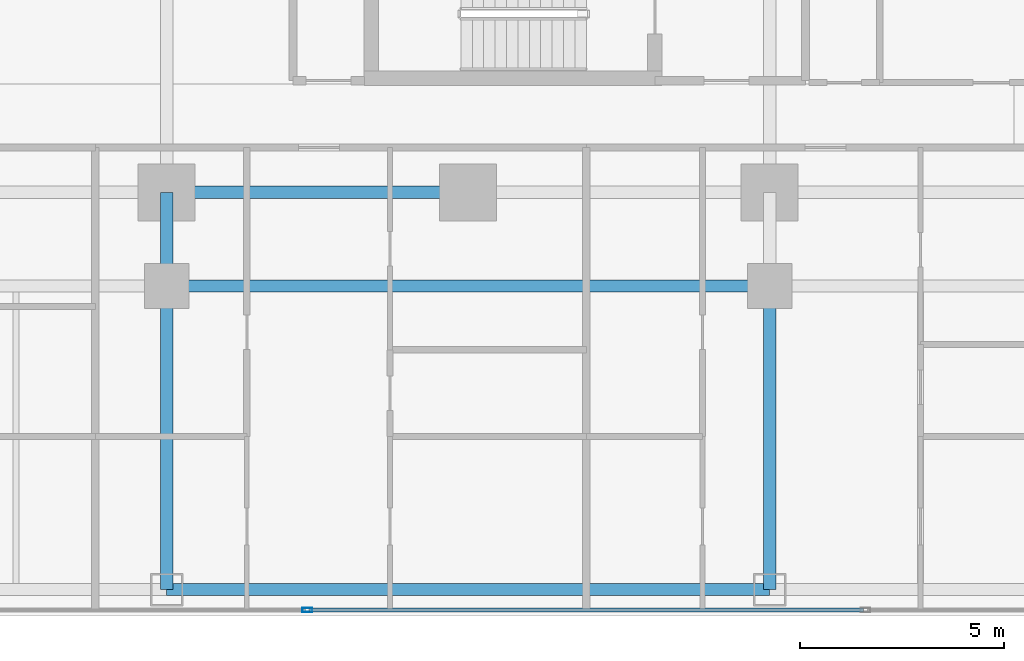
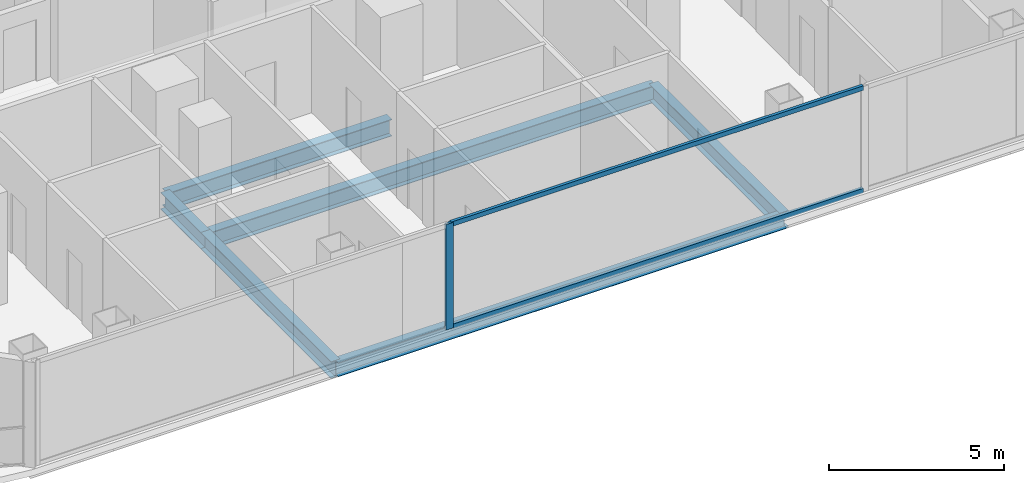
# One storey, part 4 of 28: 6 beams, 3 members, 1 element without a shape of its own.
"""IFC4 building model written with IfcOpenShell, lengths in metres."""

import ifcopenshell
import ifcopenshell.guid

model = None  # the IFC model being written
_history = None  # IfcOwnerHistory: only IFC2X3 demands one
_inside = {}  # id of a spatial element -> (the spatial element, [elements in it])
_under = {}  # id of a project, library or spatial element -> (it, [spatial elements below it])
_declared = {}  # id of a project -> (the project, [libraries it declares])
_typed = {}  # id of a type object -> (the type object, [elements of that type])
_made_of = {}  # id of a material, layer set ... -> (it, [elements and type objects made of it])


def new_model(schema):
    """Start an empty IFC model of exactly this schema.

    Asked for "IFC4X3", IfcOpenShell would pick the latest addendum, in which some entities
    have other attributes; the version numbers below select the first issue.
    IFC2X3 requires an IfcOwnerHistory on every rooted entity: one is made here for all.
    """
    global model, _history
    if schema == "IFC4X3":
        model = ifcopenshell.file(schema_version=(4, 3, 0, 0))
    else:
        model = ifcopenshell.file(schema=schema)
    _inside.clear()
    _under.clear()
    _declared.clear()
    _typed.clear()
    _made_of.clear()
    _history = None
    if model.schema == "IFC2X3":
        org = make("IfcOrganization", Name="unknown")
        user = make(
            "IfcPersonAndOrganization",
            ThePerson=make("IfcPerson", FamilyName="unknown"),
            TheOrganization=org,
        )
        app = make(
            "IfcApplication",
            ApplicationDeveloper=org,
            Version="unknown",
            ApplicationFullName="unknown",
            ApplicationIdentifier="unknown",
        )
        _history = make(
            "IfcOwnerHistory",
            OwningUser=user,
            OwningApplication=app,
            ChangeAction="ADDED",
            CreationDate=0,
        )
    return model


def make(cls, **values):
    """One entity of the class cls with the attributes given. An attribute that is None is left unset."""
    return model.create_entity(
        cls, **{name: value for name, value in values.items() if value is not None}
    )


def rooted(cls, **values):
    """An entity with a GlobalId (a new one), such as an element, a storey or a relation."""
    return make(cls, GlobalId=ifcopenshell.guid.new(), OwnerHistory=_history, **values)


def si_unit(unit_type, name, prefix=None):
    """IfcSIUnit, for example si_unit("LENGTHUNIT", "METRE", prefix="MILLI")."""
    return make("IfcSIUnit", UnitType=unit_type, Prefix=prefix, Name=name)


def assignment(units):
    """IfcUnitAssignment: the units of a project."""
    return None if units is None else make("IfcUnitAssignment", Units=units)


def point(xyz):
    """IfcCartesianPoint."""
    return None if xyz is None else make("IfcCartesianPoint", Coordinates=xyz)


def direction(xyz):
    """IfcDirection."""
    return None if xyz is None else make("IfcDirection", DirectionRatios=xyz)


def frame(location, z_axis=None, x_axis=None):
    """IfcAxis2Placement3D, a coordinate frame: its origin and axes. An axis left out is left unset."""
    return make(
        "IfcAxis2Placement3D",
        Location=point(location),
        Axis=direction(z_axis),
        RefDirection=direction(x_axis),
    )


def frame_2d(location, x_axis=None):
    """IfcAxis2Placement2D, a coordinate frame in the plane: its origin and x axis."""
    return make(
        "IfcAxis2Placement2D", Location=point(location), RefDirection=direction(x_axis)
    )


def origin():
    """The frame at (0, 0, 0) with its axes left unset."""
    return frame((0.0, 0.0, 0.0))


def origin_2d():
    """The frame at (0, 0) in the plane with its x axis left unset."""
    return frame_2d((0.0, 0.0))


def place(relative_to, where):
    """IfcLocalPlacement: puts the frame where relative to a parent placement (None: the world)."""
    return make(
        "IfcLocalPlacement", PlacementRelTo=relative_to, RelativePlacement=where
    )


def context(
    kind, dimensions, precision=None, world=None, true_north=None, identifier=None
):
    """IfcGeometricRepresentationContext, for example the 3D "Model" context."""
    return make(
        "IfcGeometricRepresentationContext",
        ContextIdentifier=identifier,
        ContextType=kind,
        CoordinateSpaceDimension=dimensions,
        Precision=precision,
        WorldCoordinateSystem=world,
        TrueNorth=true_north,
    )


def subcontext(parent, identifier, kind, view, scale=None):
    """IfcGeometricRepresentationSubContext, for example "Body" below "Model"."""
    return make(
        "IfcGeometricRepresentationSubContext",
        ContextIdentifier=identifier,
        ContextType=kind,
        ParentContext=parent,
        TargetScale=scale,
        TargetView=view,
    )


def project(units=None, contexts=None):
    """IfcProject with its units and contexts."""
    return rooted(
        "IfcProject",
        Name="project",
        RepresentationContexts=contexts,
        UnitsInContext=assignment(units),
    )


def spatial(cls, under=None, at=None, **own):
    """A site, building, storey or space (cls), placed at a placement, below another one or the project."""
    s = rooted(cls, ObjectPlacement=at, **own)
    if under is not None:
        _under.setdefault(under.id(), (under, []))[1].append(s)
    return s


def profile(cls, at=None, kind="AREA", **sizes):
    """A parametric profile (cls). Its sizes go by their IFC names, for example OverallWidth=200.0."""
    return make(cls, ProfileType=kind, Position=at, **sizes)


def hollow_rectangle(**sizes):
    """IfcRectangleHollowProfileDef."""
    return profile("IfcRectangleHollowProfileDef", **sizes)


def i_section(**sizes):
    """IfcIShapeProfileDef."""
    return profile("IfcIShapeProfileDef", **sizes)


def extrude(swept, where, along, depth):
    """IfcExtrudedAreaSolid: the profile swept, set in the frame where, extruded along a direction by depth."""
    return make(
        "IfcExtrudedAreaSolid",
        SweptArea=swept,
        Position=where,
        ExtrudedDirection=direction(along),
        Depth=depth,
    )


def shape(context_of_items, identifier, shape_type, items):
    """IfcShapeRepresentation: the items that make up one representation, for example the "Body"."""
    return make(
        "IfcShapeRepresentation",
        ContextOfItems=context_of_items,
        RepresentationIdentifier=identifier,
        RepresentationType=shape_type,
        Items=items,
    )


def material(Name=None, Category=None):
    """IfcMaterial."""
    return make("IfcMaterial", Name=Name, Category=Category)


def layer(
    of_material, thickness, ventilated=None, Name=None, Category=None, Priority=None
):
    """IfcMaterialLayer: one layer of a wall or slab, of a material (None: an air gap)."""
    return make(
        "IfcMaterialLayer",
        Material=of_material,
        LayerThickness=thickness,
        IsVentilated=ventilated,
        Name=Name,
        Category=Category,
        Priority=Priority,
    )


def layer_set(layers, Name=None):
    """IfcMaterialLayerSet."""
    return make("IfcMaterialLayerSet", MaterialLayers=layers, LayerSetName=Name)


def material_profile(
    of_material, cross_section, Name=None, Category=None, Priority=None
):
    """IfcMaterialProfile: a cross section and its material."""
    return make(
        "IfcMaterialProfile",
        Name=Name,
        Material=of_material,
        Profile=cross_section,
        Priority=Priority,
        Category=Category,
    )


def profile_set(profiles, Name=None, composite=None):
    """IfcMaterialProfileSet."""
    return make(
        "IfcMaterialProfileSet",
        Name=Name,
        MaterialProfiles=profiles,
        CompositeProfile=composite,
    )


def made_of(thing, what):
    """Note that an element or type object is made of a material, layer set ...; save() writes the relation."""
    if what is not None:
        _made_of.setdefault(what.id(), (what, []))[1].append(thing)
    return thing


def type_object(cls, material=None, **own):
    """A type object (cls), such as IfcWallType, which elements share."""
    return made_of(rooted(cls, **own), material)


def element(
    cls,
    number,
    at=None,
    inside=None,
    cuts=None,
    type_object=None,
    material=None,
    context=None,
    identifier="Body",
    shape_type=None,
    held_by="IfcProductDefinitionShape",
    body=None,
    shapes=None,
    **own,
):
    """One element of the class cls, such as IfcWall. Its Tag is "e" and its number.

    at: its placement. inside: the storey or other place that contains it. cuts: it is an
    opening in that element (IfcRelVoidsElement). A single representation is given by context,
    identifier, shape_type and body (its items); several are given by shapes. held_by: the class
    of the entity that holds the representations. save() writes the other relations.
    """
    e = rooted(cls, Tag="e%d" % number, ObjectPlacement=at, **own)
    if body is not None:
        shapes = [shape(context, identifier, shape_type, body)]
    if shapes is not None:
        e.Representation = make(held_by, Representations=shapes)
    if inside is not None:
        _inside.setdefault(inside.id(), (inside, []))[1].append(e)
    if cuts is not None:
        rooted(
            "IfcRelVoidsElement", RelatingBuildingElement=cuts, RelatedOpeningElement=e
        )
    if type_object is not None:
        _typed.setdefault(type_object.id(), (type_object, []))[1].append(e)
    return made_of(e, material)


def aggregate(whole, parts):
    """IfcRelAggregates: a whole, such as a stair, and the parts it consists of."""
    return rooted("IfcRelAggregates", RelatingObject=whole, RelatedObjects=parts)


def save(model, path):
    """Write the relations noted so far, then the file.

    IfcRelAggregates (storeys below a building ...), IfcRelContainedInSpatialStructure (elements
    in a storey), IfcRelDefinesByType, IfcRelAssociatesMaterial and IfcRelDeclares: one each for
    every whole, place, type object, material and project.
    """
    for whole, parts in _under.values():
        aggregate(whole, parts)
    for where, things in _inside.values():
        rooted(
            "IfcRelContainedInSpatialStructure",
            RelatedElements=things,
            RelatingStructure=where,
        )
    for kind, things in _typed.values():
        rooted("IfcRelDefinesByType", RelatedObjects=things, RelatingType=kind)
    for what, things in _made_of.values():
        rooted("IfcRelAssociatesMaterial", RelatedObjects=things, RelatingMaterial=what)
    for by, libraries in _declared.values():
        rooted("IfcRelDeclares", RelatingContext=by, RelatedDefinitions=libraries)
    model.write(path)


model = new_model("IFC4")

# Units and contexts
model_context = context("Model", 3, precision=1e-05, world=origin(), true_north=direction((0.0, 1.0)))
body_context = subcontext(model_context, "Body", "Model", "MODEL_VIEW")
ifc_project = project(units=[si_unit("LENGTHUNIT", "METRE"), si_unit("AREAUNIT", "SQUARE_METRE"), si_unit("VOLUMEUNIT", "CUBIC_METRE"), si_unit("PLANEANGLEUNIT", "RADIAN"), si_unit("MASSUNIT", "GRAM", prefix="KILO")], contexts=[model_context])

# Site, building, storey
site_placement = place(None, origin())
site = spatial("IfcSite", under=ifc_project, at=site_placement, CompositionType="ELEMENT")
building_placement = place(site_placement, origin())
building = spatial("IfcBuilding", under=site, at=building_placement, Name="Khorvyn Point Tower", CompositionType="ELEMENT")
storey_placement = place(building_placement, frame((0.0, 0.0, 34.5)))
storey = spatial("IfcBuildingStorey", under=building, at=storey_placement, Name="L09", CompositionType="ELEMENT", Elevation=34.5)

# Curtain wall, members
ifc_material_1 = material(Name="Anodised aluminium 6063-T6 and laminated Low-E glass", Category="aluminium")
ifc_layer = layer(ifc_material_1, 0.18994140625)
ifc_layer_set = layer_set([ifc_layer], Name="Stick-Built Finned Residential Curtain Wall CW-SYS-02")
curtain_wall_type = type_object("IfcCurtainWallType", Name="Stick-Built Finned Residential Curtain Wall CW-SYS-02", PredefinedType="NOTDEFINED", material=ifc_layer_set)
curtain_wall_placement = place(storey_placement, origin())
curtain_wall = element("IfcCurtainWall", 1, at=curtain_wall_placement, inside=storey, type_object=curtain_wall_type, Name="Curtain Wall", PredefinedType="NOTDEFINED")
ifc_material_2 = material(Name="Anodised aluminium 6063-T6", Category="aluminium")
ifc_material_profile_1 = material_profile(ifc_material_2, hollow_rectangle(XDim=0.10009765625, YDim=0.239990234375, WallThickness=0.0048828125, at=origin_2d()))
ifc_profile_set_1 = profile_set([ifc_material_profile_1], Name="Anodised aluminium 6063-T6 ALU-MUL-100x240")
member_type_1 = type_object("IfcMemberType", Name="Anodised Aluminium 6063-T6 Mullion ALU-MUL-100x240", PredefinedType="MULLION", material=ifc_profile_set_1)
member_1_placement = place(storey_placement, frame((-3.949951171875, -25.050048828125, 0.0), z_axis=(0.0, 0.0, 1.0), x_axis=(0.0, -1.0, 0.0)))
member_1 = element("IfcMember", 2, at=member_1_placement, type_object=member_type_1, Name="Transom", PredefinedType="MULLION", context=body_context, shape_type="SweptSolid", body=[
    extrude(hollow_rectangle(XDim=0.10009765625, YDim=0.239990234375, WallThickness=0.0048828125, at=origin_2d()), origin(), (0.0, 0.0, 1.0), 3.679931640625),
])
ifc_material_profile_2 = material_profile(ifc_material_2, hollow_rectangle(XDim=0.10009765625, YDim=0.159912109375, WallThickness=0.00439453125, at=origin_2d()))
ifc_profile_set_2 = profile_set([ifc_material_profile_2], Name="Anodised aluminium 6063-T6 ALU-TRN-100x160")
member_type_2 = type_object("IfcMemberType", Name="Anodised Aluminium 6063-T6 Transom ALU-TRN-100x160", PredefinedType="USERDEFINED", material=ifc_profile_set_2)
member_2_placement = place(storey_placement, frame((9.699951171875, -25.050048828125, 0.050048828125), z_axis=(-1.0, 0.0, 0.0), x_axis=(0.0, -1.0, 0.0)))
member_2 = element("IfcMember", 3, at=member_2_placement, type_object=member_type_2, Name="Transom", ObjectType="TRANSOM", PredefinedType="USERDEFINED", context=body_context, shape_type="SweptSolid", body=[
    extrude(hollow_rectangle(XDim=0.10009765625, YDim=0.159912109375, WallThickness=0.00439453125, at=origin_2d()), origin(), (0.0, 0.0, 1.0), 13.599853515625),
])
member_3_placement = place(storey_placement, frame((9.699951171875, -25.050048828125, 3.6298828125), z_axis=(-1.0, 0.0, 0.0), x_axis=(0.0, -1.0, 0.0)))
member_3 = element("IfcMember", 4, at=member_3_placement, type_object=member_type_2, Name="Transom", ObjectType="TRANSOM", PredefinedType="USERDEFINED", context=body_context, shape_type="SweptSolid", body=[
    extrude(hollow_rectangle(XDim=0.10009765625, YDim=0.159912109375, WallThickness=0.00439453125, at=origin_2d()), origin(), (0.0, 0.0, 1.0), 13.599853515625),
])
aggregate(curtain_wall, [member_1, member_2, member_3])

# Beams
ifc_material_3 = material(Name="Steel S355", Category="steel")
ifc_material_profile_3 = material_profile(ifc_material_3, i_section(OverallWidth=0.300048828125, OverallDepth=0.587890625, WebThickness=0.011962890625, FlangeThickness=0.02001953125, at=origin_2d()))
ifc_profile_set_3 = profile_set([ifc_material_profile_3], Name="Steel S355 H588x300x12x20")
beam_type_1 = type_object("IfcBeamType", Name="Steel S355 Beam H588x300x12x20", PredefinedType="BEAM", material=ifc_profile_set_3)
beam_1_placement = place(storey_placement, frame((-7.39990234375, -14.800048828125, -0.513916015625), z_axis=(1.0, 0.0, 0.0), x_axis=(0.0, 1.0, 0.0)))
element("IfcBeam", 5, at=beam_1_placement, inside=storey, type_object=beam_type_1, Name="Beam", PredefinedType="BEAM", context=body_context, shape_type="SweptSolid", body=[
    extrude(i_section(OverallWidth=0.300048828125, OverallDepth=0.587890625, WebThickness=0.011962890625, FlangeThickness=0.02001953125, at=origin_2d()), origin(), (0.0, 0.0, 1.0), 7.39990234375),
])
beam_2_placement = place(storey_placement, frame((-7.39990234375, -17.10009765625, -0.513916015625), z_axis=(1.0, 0.0, 0.0), x_axis=(0.0, 1.0, 0.0)))
element("IfcBeam", 6, at=beam_2_placement, inside=storey, type_object=beam_type_1, Name="Beam", PredefinedType="BEAM", context=body_context, shape_type="SweptSolid", body=[
    extrude(i_section(OverallWidth=0.300048828125, OverallDepth=0.587890625, WebThickness=0.011962890625, FlangeThickness=0.02001953125, at=origin_2d()), origin(), (0.0, 0.0, 1.0), 14.7998046875),
])
beam_3_placement = place(storey_placement, frame((-7.39990234375, -24.550048828125, -0.513916015625), z_axis=(0.0, 1.0, 0.0), x_axis=(-1.0, 0.0, 0.0)))
element("IfcBeam", 7, at=beam_3_placement, inside=storey, type_object=beam_type_1, Name="Beam", PredefinedType="BEAM", context=body_context, shape_type="SweptSolid", body=[
    extrude(i_section(OverallWidth=0.300048828125, OverallDepth=0.587890625, WebThickness=0.011962890625, FlangeThickness=0.02001953125, at=origin_2d()), origin(), (0.0, 0.0, 1.0), 7.449951171875),
])
beam_4_placement = place(storey_placement, frame((-7.39990234375, -17.10009765625, -0.513916015625), z_axis=(0.0, 1.0, 0.0), x_axis=(-1.0, 0.0, 0.0)))
element("IfcBeam", 8, at=beam_4_placement, inside=storey, type_object=beam_type_1, Name="Beam", PredefinedType="BEAM", context=body_context, shape_type="SweptSolid", body=[
    extrude(i_section(OverallWidth=0.300048828125, OverallDepth=0.587890625, WebThickness=0.011962890625, FlangeThickness=0.02001953125, at=origin_2d()), origin(), (0.0, 0.0, 1.0), 2.300048828125),
])
beam_5_placement = place(storey_placement, frame((7.39990234375, -24.550048828125, -0.513916015625), z_axis=(0.0, 1.0, 0.0), x_axis=(-1.0, 0.0, 0.0)))
element("IfcBeam", 9, at=beam_5_placement, inside=storey, type_object=beam_type_1, Name="Beam", PredefinedType="BEAM", context=body_context, shape_type="SweptSolid", body=[
    extrude(i_section(OverallWidth=0.300048828125, OverallDepth=0.587890625, WebThickness=0.011962890625, FlangeThickness=0.02001953125, at=origin_2d()), origin(), (0.0, 0.0, 1.0), 7.449951171875),
])
ifc_material_profile_4 = material_profile(ifc_material_3, i_section(OverallWidth=0.300048828125, OverallDepth=0.488037109375, WebThickness=0.010986328125, FlangeThickness=0.01806640625, at=origin_2d()))
ifc_profile_set_4 = profile_set([ifc_material_profile_4], Name="Steel S355 H488x300x11x18")
beam_type_2 = type_object("IfcBeamType", Name="Steel S355 Spandrel H488x300x11x18", PredefinedType="SPANDREL", material=ifc_profile_set_4)
beam_6_placement = place(storey_placement, frame((-7.39990234375, -24.550048828125, -0.464111328125), z_axis=(1.0, 0.0, 0.0), x_axis=(0.0, 1.0, 0.0)))
element("IfcBeam", 10, at=beam_6_placement, inside=storey, type_object=beam_type_2, Name="Beam", PredefinedType="SPANDREL", context=body_context, shape_type="SweptSolid", body=[
    extrude(i_section(OverallWidth=0.300048828125, OverallDepth=0.488037109375, WebThickness=0.010986328125, FlangeThickness=0.01806640625, at=origin_2d()), origin(), (0.0, 0.0, 1.0), 14.7998046875),
])

save(model, "model.ifc")
